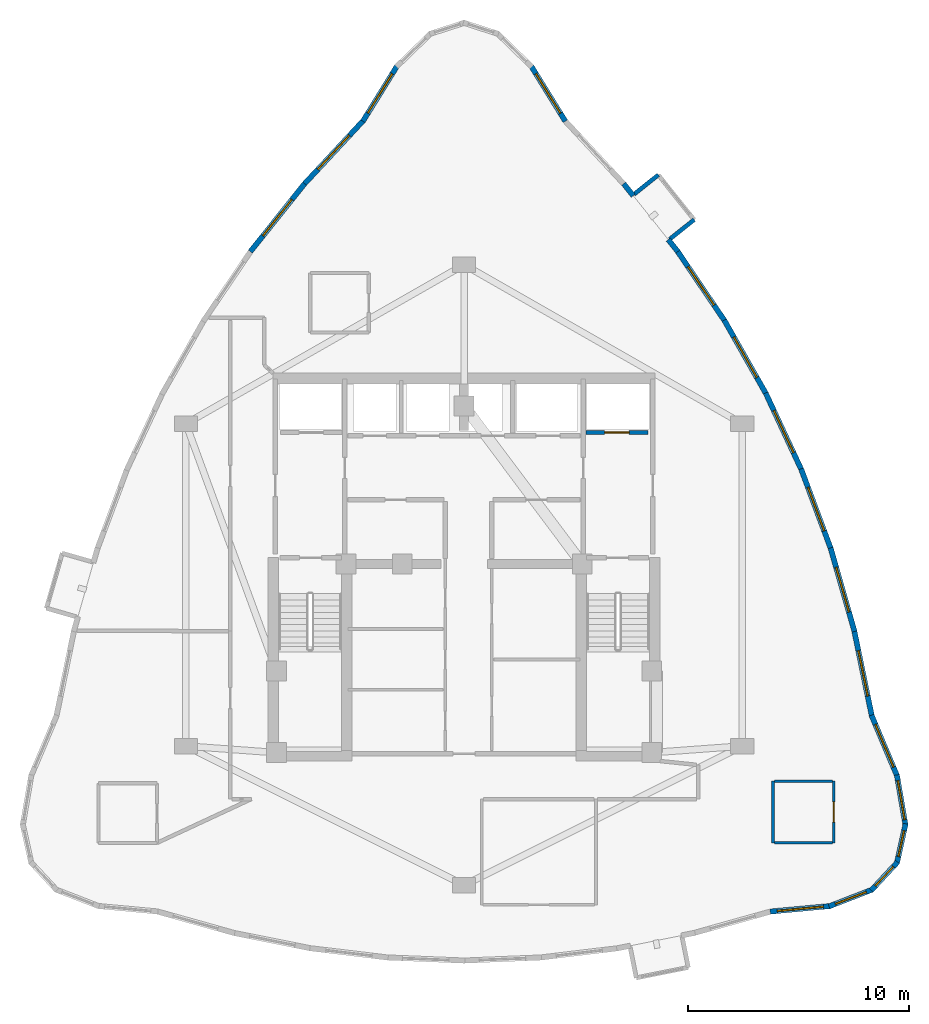
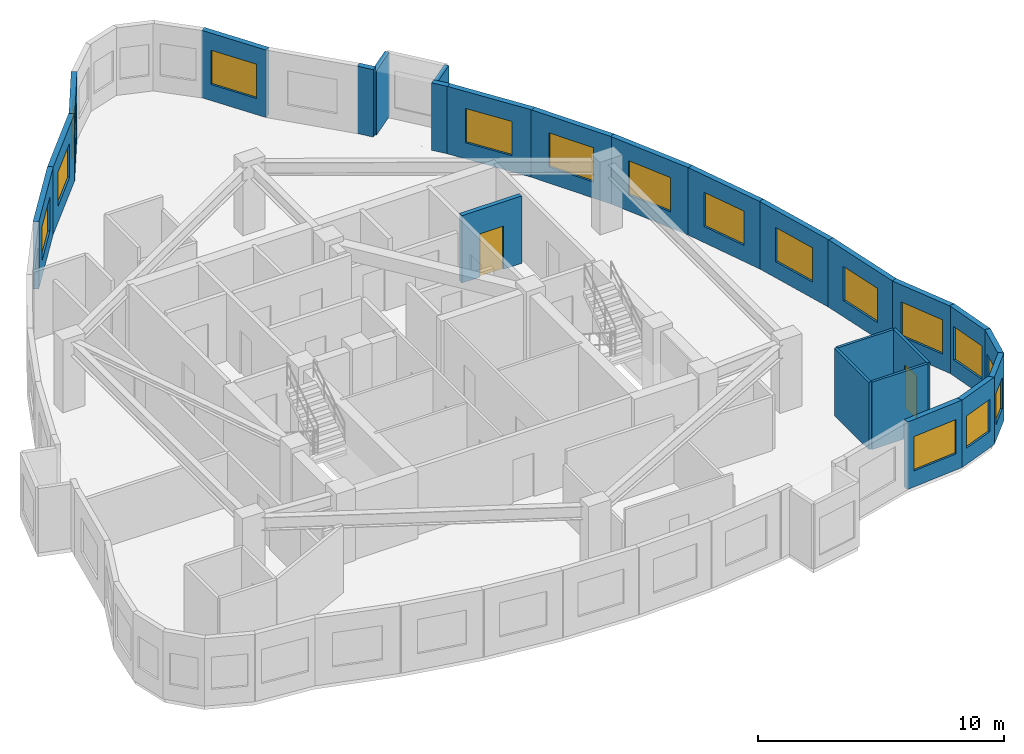
# One storey, part 8 of 10: 25 walls, 16 windows, 2 doors, 18 openings.
"""IFC4 building model written with IfcOpenShell, lengths in metres."""

from ifc_helpers import new_model, si_unit, direction, frame, frame_2d, origin, place, context, subcontext, project, spatial, rectangle, extrude, material, layer, layer_set, type_object, element, fill, save


model = new_model("IFC4")

# Units and contexts
model_context = context("Model", 3, precision=1e-05, world=origin(), true_north=direction((0.0, 1.0)))
body_context = subcontext(model_context, "Body", "Model", "MODEL_VIEW")
ifc_project = project(units=[si_unit("LENGTHUNIT", "METRE"), si_unit("AREAUNIT", "SQUARE_METRE"), si_unit("VOLUMEUNIT", "CUBIC_METRE"), si_unit("PLANEANGLEUNIT", "RADIAN"), si_unit("MASSUNIT", "GRAM", prefix="KILO")], contexts=[model_context])

# Site, building, storey
site_placement = place(None, origin())
site = spatial("IfcSite", under=ifc_project, at=site_placement, CompositionType="ELEMENT")
building_placement = place(site_placement, origin())
building = spatial("IfcBuilding", under=site, at=building_placement, Name="Miruveldt Soraemaru", CompositionType="ELEMENT")
storey_placement = place(building_placement, frame((0.0, 0.0, 226.800048828125)))
storey = spatial("IfcBuildingStorey", under=building, at=storey_placement, Name="L62", CompositionType="ELEMENT", Elevation=226.800048828125)

# Walls
ifc_material_1 = material(Name="White powder-coated aluminium EN AW-6060 T6", Category="aluminium")
ifc_layer_1 = layer(ifc_material_1, 0.18994140625, Name="White powder-coated aluminium EN AW-6060 T6", Category="aluminium")
ifc_layer_set_1 = layer_set([ifc_layer_1], Name="White powder-coated aluminium EN AW-6060 T6")
wall_type_1 = type_object("IfcWallType", Name="WALL-BAY-ALU190", PredefinedType="SOLIDWALL", material=ifc_layer_set_1)
wall_1_placement = place(storey_placement, frame((53.308837890625, 58.752685546875, 0.0), z_axis=(0.0, 0.0, 1.0), x_axis=(0.781737193764, 0.623608017817, 0.0)))
element("IfcWall", 1, at=wall_1_placement, inside=storey, type_object=wall_type_1, Name="L62 Bay Window Side Cheek 3L", PredefinedType="SOLIDWALL", context=body_context, shape_type="SweptSolid", body=[
    extrude(rectangle(XDim=1.425048828125, YDim=0.18994140625, at=frame_2d((0.71240234375, 0.0))), origin(), (0.0, 0.0, 1.0), 3.195068359375),
])
wall_2_placement = place(storey_placement, frame((52.801513671875, 61.673828125, 0.0), z_axis=(0.0, 0.0, 1.0), x_axis=(-0.781820714191, -0.623503304611, 0.0)))
element("IfcWall", 2, at=wall_2_placement, inside=storey, type_object=wall_type_1, Name="L62 Bay Window Side Cheek 3R", PredefinedType="SOLIDWALL", context=body_context, shape_type="SweptSolid", body=[
    extrude(rectangle(XDim=1.4248046875, YDim=0.18994140625, at=frame_2d((0.71240234375, 0.0))), origin(), (0.0, 0.0, 1.0), 3.195068359375),
])

# Wall, opening, window
ifc_material_2 = material(Name="Precast concrete C45/55 (45 MPa)", Category="concrete")
ifc_layer_2 = layer(ifc_material_2, 0.239990234375, Name="Precast concrete C45/55 (45 MPa)", Category="concrete")
ifc_layer_set_2 = layer_set([ifc_layer_2], Name="Precast concrete C45/55 (45 MPa)")
wall_type_2 = type_object("IfcWallType", Name="WALL-EXT-PC240", PredefinedType="SOLIDWALL", material=ifc_layer_set_2)
wall_3_placement = place(storey_placement, frame((48.58642578125, 64.1005859375, 0.0), z_axis=(0.0, 0.0, 1.0), x_axis=(-0.526039851437, 0.850459919514, 0.0)))
wall_3 = element("IfcWall", 3, at=wall_3_placement, inside=storey, type_object=wall_type_2, Name="L62 Precast Concrete Facade Wall 1", PredefinedType="SOLIDWALL", context=body_context, shape_type="SweptSolid", body=[
    extrude(rectangle(XDim=2.96435546875, YDim=0.239990234375, at=frame_2d((1.482177734375, 0.0))), origin(), (0.0, 0.0, 1.0), 3.344970703125),
])
opening_1_placement = place(wall_3_placement, frame((0.431884765625, 0.0, 0.800048828125)))
opening_1 = element("IfcOpeningElement", 4, at=opening_1_placement, cuts=wall_3, Name="Opening WN-1", PredefinedType="OPENING", context=body_context, shape_type="SweptSolid", body=[
    extrude(rectangle(XDim=2.10009765625, YDim=1.699951171875, at=frame_2d((1.050048828125, 0.85009765625))), frame((0.0, 0.1298828125, 0.0), z_axis=(0.0, -1.0, 0.0), x_axis=(1.0, 0.0, 0.0)), (0.0, 0.0, 1.0), 0.260009765625),
])
ifc_material_3 = material(Name="Triple low-e insulated glazing", Category="glass")
window_type_1 = type_object("IfcWindowType", Name="WIN-PUNCH-2100x1700", PartitioningType="SINGLE_PANEL", PredefinedType="WINDOW", material=ifc_material_3)
window_1_placement = place(opening_1_placement, origin())
window_1 = element("IfcWindow", 5, at=window_1_placement, inside=storey, type_object=window_type_1, Name="L62 Punched Triple-Glazed Window 01.1", OverallHeight=1.699951171875, OverallWidth=2.10009765625, PartitioningType="SINGLE_PANEL", PredefinedType="WINDOW", context=body_context, shape_type="SweptSolid", body=[
    extrude(rectangle(XDim=2.10009765625, YDim=1.699951171875, at=frame_2d((1.050048828125, 0.85009765625))), frame((0.0, 0.030029296875, 0.0), z_axis=(0.0, -1.0, 0.0), x_axis=(1.0, 0.0, 0.0)), (0.0, 0.0, 1.0), 0.06005859375),
])
fill(opening_1, window_1)

wall_4_placement = place(storey_placement, frame((40.972900390625, 66.62158203125, 0.0), z_axis=(0.0, 0.0, 1.0), x_axis=(-0.526039851437, -0.850459919514, 0.0)))
wall_4 = element("IfcWall", 6, at=wall_4_placement, inside=storey, type_object=wall_type_2, Name="L62 Precast Concrete Facade Wall 6", PredefinedType="SOLIDWALL", context=body_context, shape_type="SweptSolid", body=[
    extrude(rectangle(XDim=2.96435546875, YDim=0.239990234375, at=frame_2d((1.482177734375, 0.0))), origin(), (0.0, 0.0, 1.0), 3.344970703125),
])
opening_2_placement = place(wall_4_placement, frame((0.431884765625, 0.0, 0.800048828125)))
opening_2 = element("IfcOpeningElement", 7, at=opening_2_placement, cuts=wall_4, Name="Opening WN-1", PredefinedType="OPENING", context=body_context, shape_type="SweptSolid", body=[
    extrude(rectangle(XDim=2.10009765625, YDim=1.699951171875, at=frame_2d((1.050048828125, 0.85009765625))), frame((0.0, 0.1298828125, 0.0), z_axis=(0.0, -1.0, 0.0), x_axis=(1.0, 0.0, 0.0)), (0.0, 0.0, 1.0), 0.260009765625),
])
window_2_placement = place(opening_2_placement, origin())
window_2 = element("IfcWindow", 8, at=window_2_placement, inside=storey, type_object=window_type_1, Name="L62 Punched Triple-Glazed Window 06.1", OverallHeight=1.699951171875, OverallWidth=2.10009765625, PartitioningType="SINGLE_PANEL", PredefinedType="WINDOW", context=body_context, shape_type="SweptSolid", body=[
    extrude(rectangle(XDim=2.10009765625, YDim=1.699951171875, at=frame_2d((1.050048828125, 0.85009765625))), frame((0.0, 0.030029296875, 0.0), z_axis=(0.0, -1.0, 0.0), x_axis=(1.0, 0.0, 0.0)), (0.0, 0.0, 1.0), 0.06005859375),
])
fill(opening_2, window_2)

wall_5_placement = place(storey_placement, frame((39.455810546875, 64.156005859375, 0.0), z_axis=(0.0, 0.0, 1.0), x_axis=(-0.680901904473, -0.73237462851, 0.0)))
wall_5 = element("IfcWall", 9, at=wall_5_placement, inside=storey, type_object=wall_type_2, Name="L62 Precast Concrete Facade Wall 7", PredefinedType="SOLIDWALL", context=body_context, shape_type="SweptSolid", body=[
    extrude(rectangle(XDim=4.0078125, YDim=0.239990234375, at=frame_2d((2.00390625, 0.0))), origin(), (0.0, 0.0, 1.0), 3.344970703125),
])
opening_3_placement = place(wall_5_placement, frame((0.9541015625, 0.0, 0.800048828125)))
opening_3 = element("IfcOpeningElement", 10, at=opening_3_placement, cuts=wall_5, Name="Opening WN-1", PredefinedType="OPENING", context=body_context, shape_type="SweptSolid", body=[
    extrude(rectangle(XDim=2.10009765625, YDim=1.699951171875, at=frame_2d((1.050048828125, 0.85009765625))), frame((0.0, 0.1298828125, 0.0), z_axis=(0.0, -1.0, 0.0), x_axis=(1.0, 0.0, 0.0)), (0.0, 0.0, 1.0), 0.260009765625),
])
window_3_placement = place(opening_3_placement, origin())
window_3 = element("IfcWindow", 11, at=window_3_placement, inside=storey, type_object=window_type_1, Name="L62 Punched Triple-Glazed Window 07.1", OverallHeight=1.699951171875, OverallWidth=2.10009765625, PartitioningType="SINGLE_PANEL", PredefinedType="WINDOW", context=body_context, shape_type="SweptSolid", body=[
    extrude(rectangle(XDim=2.10009765625, YDim=1.699951171875, at=frame_2d((1.050048828125, 0.85009765625))), frame((0.0, 0.030029296875, 0.0), z_axis=(0.0, -1.0, 0.0), x_axis=(1.0, 0.0, 0.0)), (0.0, 0.0, 1.0), 0.06005859375),
])
fill(opening_3, window_3)

wall_6_placement = place(storey_placement, frame((36.7724609375, 61.273681640625, 0.0), z_axis=(0.0, 0.0, 1.0), x_axis=(-0.623613091905, -0.781733146032, 0.0)))
wall_6 = element("IfcWall", 12, at=wall_6_placement, inside=storey, type_object=wall_type_2, Name="L62 Precast Concrete Facade Wall 8", PredefinedType="SOLIDWALL", context=body_context, shape_type="SweptSolid", body=[
    extrude(rectangle(XDim=3.937255859375, YDim=0.239990234375, at=frame_2d((1.96875, 0.0))), origin(), (0.0, 0.0, 1.0), 3.344970703125),
])
opening_4_placement = place(wall_6_placement, frame((0.9189453125, 0.0, 0.800048828125)))
opening_4 = element("IfcOpeningElement", 13, at=opening_4_placement, cuts=wall_6, Name="Opening WN-1", PredefinedType="OPENING", context=body_context, shape_type="SweptSolid", body=[
    extrude(rectangle(XDim=2.10009765625, YDim=1.699951171875, at=frame_2d((1.050048828125, 0.85009765625))), frame((0.0, 0.1298828125, 0.0), z_axis=(0.0, -1.0, 0.0), x_axis=(1.0, 0.0, 0.0)), (0.0, 0.0, 1.0), 0.260009765625),
])
window_4_placement = place(opening_4_placement, origin())
window_4 = element("IfcWindow", 14, at=window_4_placement, inside=storey, type_object=window_type_1, Name="L62 Punched Triple-Glazed Window 08.1", OverallHeight=1.699951171875, OverallWidth=2.10009765625, PartitioningType="SINGLE_PANEL", PredefinedType="WINDOW", context=body_context, shape_type="SweptSolid", body=[
    extrude(rectangle(XDim=2.10009765625, YDim=1.699951171875, at=frame_2d((1.050048828125, 0.85009765625))), frame((0.0, 0.030029296875, 0.0), z_axis=(0.0, -1.0, 0.0), x_axis=(1.0, 0.0, 0.0)), (0.0, 0.0, 1.0), 0.06005859375),
])
fill(opening_4, window_4)

wall_7_placement = place(storey_placement, frame((57.865234375, 28.30078125, 0.0), z_axis=(0.0, 0.0, 1.0), x_axis=(0.995757284453, 0.092018641911, 0.0)))
wall_7 = element("IfcWall", 15, at=wall_7_placement, inside=storey, type_object=wall_type_2, Name="L62 Precast Concrete Facade Wall 29", PredefinedType="SOLIDWALL", context=body_context, shape_type="SweptSolid", body=[
    extrude(rectangle(XDim=2.74609375, YDim=0.239990234375, at=frame_2d((1.373046875, 0.0))), origin(), (0.0, 0.0, 1.0), 3.344970703125),
])
opening_5_placement = place(wall_7_placement, frame((0.322998046875, 0.0, 0.800048828125)))
opening_5 = element("IfcOpeningElement", 16, at=opening_5_placement, cuts=wall_7, Name="Opening WN-1", PredefinedType="OPENING", context=body_context, shape_type="SweptSolid", body=[
    extrude(rectangle(XDim=2.10009765625, YDim=1.699951171875, at=frame_2d((1.050048828125, 0.85009765625))), frame((0.0, 0.1298828125, 0.0), z_axis=(0.0, -1.0, 0.0), x_axis=(1.0, 0.0, 0.0)), (0.0, 0.0, 1.0), 0.260009765625),
])
window_5_placement = place(opening_5_placement, origin())
window_5 = element("IfcWindow", 17, at=window_5_placement, inside=storey, type_object=window_type_1, Name="L62 Punched Triple-Glazed Window 29.1", OverallHeight=1.699951171875, OverallWidth=2.10009765625, PartitioningType="SINGLE_PANEL", PredefinedType="WINDOW", context=body_context, shape_type="SweptSolid", body=[
    extrude(rectangle(XDim=2.10009765625, YDim=1.699951171875, at=frame_2d((1.050048828125, 0.85009765625))), frame((0.0, 0.030029296875, 0.0), z_axis=(0.0, -1.0, 0.0), x_axis=(1.0, 0.0, 0.0)), (0.0, 0.0, 1.0), 0.06005859375),
])
fill(opening_5, window_5)

wall_8_placement = place(storey_placement, frame((60.5322265625, 28.53759765625, 0.0), z_axis=(0.0, 0.0, 1.0), x_axis=(0.93230164069, 0.361681698137, 0.0)))
wall_8 = element("IfcWall", 18, at=wall_8_placement, inside=storey, type_object=wall_type_2, Name="L62 Precast Concrete Facade Wall 30", PredefinedType="SOLIDWALL", context=body_context, shape_type="SweptSolid", body=[
    extrude(rectangle(XDim=2.111328125, YDim=0.239990234375, at=frame_2d((1.0556640625, 0.0))), origin(), (0.0, 0.0, 1.0), 3.344970703125),
])
opening_6_placement = place(wall_8_placement, frame((0.305908203125, 0.0, 0.800048828125)))
opening_6 = element("IfcOpeningElement", 19, at=opening_6_placement, cuts=wall_8, Name="Opening WN-3", PredefinedType="OPENING", context=body_context, shape_type="SweptSolid", body=[
    extrude(rectangle(XDim=1.5, YDim=1.60009765625, at=frame_2d((0.75, 0.800048828125))), frame((0.0, 0.1298828125, 0.0), z_axis=(0.0, -1.0, 0.0), x_axis=(1.0, 0.0, 0.0)), (0.0, 0.0, 1.0), 0.260009765625),
])
window_type_2 = type_object("IfcWindowType", Name="WIN-PUNCH-1500x1600", PartitioningType="SINGLE_PANEL", PredefinedType="WINDOW", material=ifc_material_3)
window_6_placement = place(opening_6_placement, origin())
window_6 = element("IfcWindow", 20, at=window_6_placement, inside=storey, type_object=window_type_2, Name="L62 Punched Triple-Glazed Window 30.1", OverallHeight=1.60009765625, OverallWidth=1.5, PartitioningType="SINGLE_PANEL", PredefinedType="WINDOW", context=body_context, shape_type="SweptSolid", body=[
    extrude(rectangle(XDim=1.5, YDim=1.60009765625, at=frame_2d((0.75, 0.800048828125))), frame((0.0, 0.030029296875, 0.0), z_axis=(0.0, -1.0, 0.0), x_axis=(1.0, 0.0, 0.0)), (0.0, 0.0, 1.0), 0.06005859375),
])
fill(opening_6, window_6)

wall_9_placement = place(storey_placement, frame((62.4443359375, 29.262939453125, 0.0), z_axis=(0.0, 0.0, 1.0), x_axis=(0.680161948571, 0.733061882597, 0.0)))
wall_9 = element("IfcWall", 21, at=wall_9_placement, inside=storey, type_object=wall_type_2, Name="L62 Precast Concrete Facade Wall 31", PredefinedType="SOLIDWALL", context=body_context, shape_type="SweptSolid", body=[
    extrude(rectangle(XDim=1.7490234375, YDim=0.239990234375, at=frame_2d((0.87451171875, 0.0))), origin(), (0.0, 0.0, 1.0), 3.344970703125),
])
opening_7_placement = place(wall_9_placement, frame((0.27392578125, 0.0, 0.780029296875)))
opening_7 = element("IfcOpeningElement", 22, at=opening_7_placement, cuts=wall_9, Name="Opening WN-4", PredefinedType="OPENING", context=body_context, shape_type="SweptSolid", body=[
    extrude(rectangle(XDim=1.199951171875, YDim=1.550048828125, at=frame_2d((0.60009765625, 0.77490234375))), frame((0.0, 0.1298828125, 0.0), z_axis=(0.0, -1.0, 0.0), x_axis=(1.0, 0.0, 0.0)), (0.0, 0.0, 1.0), 0.260009765625),
])
window_type_3 = type_object("IfcWindowType", Name="WIN-PUNCH-1200x1550", PartitioningType="SINGLE_PANEL", PredefinedType="WINDOW", material=ifc_material_3)
window_7_placement = place(opening_7_placement, origin())
window_7 = element("IfcWindow", 23, at=window_7_placement, inside=storey, type_object=window_type_3, Name="L62 Punched Triple-Glazed Window 31.1", OverallHeight=1.550048828125, OverallWidth=1.199951171875, PartitioningType="SINGLE_PANEL", PredefinedType="WINDOW", context=body_context, shape_type="SweptSolid", body=[
    extrude(rectangle(XDim=1.199951171875, YDim=1.550048828125, at=frame_2d((0.60009765625, 0.77490234375))), frame((0.0, 0.030029296875, 0.0), z_axis=(0.0, -1.0, 0.0), x_axis=(1.0, 0.0, 0.0)), (0.0, 0.0, 1.0), 0.06005859375),
])
fill(opening_7, window_7)

wall_10_placement = place(storey_placement, frame((63.6025390625, 30.485107421875, 0.0), z_axis=(0.0, 0.0, 1.0), x_axis=(0.215831360357, 0.97643065493, 0.0)))
wall_10 = element("IfcWall", 24, at=wall_10_placement, inside=storey, type_object=wall_type_2, Name="L62 Precast Concrete Facade Wall 32", PredefinedType="SOLIDWALL", context=body_context, shape_type="SweptSolid", body=[
    extrude(rectangle(XDim=1.834716796875, YDim=0.239990234375, at=frame_2d((0.91748046875, 0.0))), origin(), (0.0, 0.0, 1.0), 3.344970703125),
])
opening_8_placement = place(wall_10_placement, frame((0.318115234375, 0.0, 0.780029296875)))
opening_8 = element("IfcOpeningElement", 25, at=opening_8_placement, cuts=wall_10, Name="Opening WN-4", PredefinedType="OPENING", context=body_context, shape_type="SweptSolid", body=[
    extrude(rectangle(XDim=1.199951171875, YDim=1.550048828125, at=frame_2d((0.60009765625, 0.77490234375))), frame((0.0, 0.1298828125, 0.0), z_axis=(0.0, -1.0, 0.0), x_axis=(1.0, 0.0, 0.0)), (0.0, 0.0, 1.0), 0.260009765625),
])
window_8_placement = place(opening_8_placement, origin())
window_8 = element("IfcWindow", 26, at=window_8_placement, inside=storey, type_object=window_type_3, Name="L62 Punched Triple-Glazed Window 32.1", OverallHeight=1.550048828125, OverallWidth=1.199951171875, PartitioningType="SINGLE_PANEL", PredefinedType="WINDOW", context=body_context, shape_type="SweptSolid", body=[
    extrude(rectangle(XDim=1.199951171875, YDim=1.550048828125, at=frame_2d((0.60009765625, 0.77490234375))), frame((0.0, 0.030029296875, 0.0), z_axis=(0.0, -1.0, 0.0), x_axis=(1.0, 0.0, 0.0)), (0.0, 0.0, 1.0), 0.06005859375),
])
fill(opening_8, window_8)

wall_11_placement = place(storey_placement, frame((63.996826171875, 32.2080078125, 0.0), z_axis=(0.0, 0.0, 1.0), x_axis=(-0.169367237658, 0.985553011668, 0.0)))
wall_11 = element("IfcWall", 27, at=wall_11_placement, inside=storey, type_object=wall_type_2, Name="L62 Precast Concrete Facade Wall 33", PredefinedType="SOLIDWALL", context=body_context, shape_type="SweptSolid", body=[
    extrude(rectangle(XDim=2.31787109375, YDim=0.239990234375, at=frame_2d((1.158935546875, 0.0))), origin(), (0.0, 0.0, 1.0), 3.344970703125),
])
opening_9_placement = place(wall_11_placement, frame((0.259033203125, 0.0, 0.800048828125)))
opening_9 = element("IfcOpeningElement", 28, at=opening_9_placement, cuts=wall_11, Name="Opening WN-2", PredefinedType="OPENING", context=body_context, shape_type="SweptSolid", body=[
    extrude(rectangle(XDim=1.800048828125, YDim=1.64990234375, at=frame_2d((0.89990234375, 0.824951171875))), frame((0.0, 0.1298828125, 0.0), z_axis=(0.0, -1.0, 0.0), x_axis=(1.0, 0.0, 0.0)), (0.0, 0.0, 1.0), 0.260009765625),
])
window_type_4 = type_object("IfcWindowType", Name="WIN-PUNCH-1800x1650", PartitioningType="SINGLE_PANEL", PredefinedType="WINDOW", material=ifc_material_3)
window_9_placement = place(opening_9_placement, origin())
window_9 = element("IfcWindow", 29, at=window_9_placement, inside=storey, type_object=window_type_4, Name="L62 Punched Triple-Glazed Window 33.1", OverallHeight=1.64990234375, OverallWidth=1.800048828125, PartitioningType="SINGLE_PANEL", PredefinedType="WINDOW", context=body_context, shape_type="SweptSolid", body=[
    extrude(rectangle(XDim=1.800048828125, YDim=1.64990234375, at=frame_2d((0.89990234375, 0.824951171875))), frame((0.0, 0.030029296875, 0.0), z_axis=(0.0, -1.0, 0.0), x_axis=(1.0, 0.0, 0.0)), (0.0, 0.0, 1.0), 0.06005859375),
])
fill(opening_9, window_9)

wall_12_placement = place(storey_placement, frame((63.623779296875, 34.42578125, 0.0), z_axis=(0.0, 0.0, 1.0), x_axis=(-0.388633766868, 0.921392313431, 0.0)))
wall_12 = element("IfcWall", 30, at=wall_12_placement, inside=storey, type_object=wall_type_2, Name="L62 Precast Concrete Facade Wall 34", PredefinedType="SOLIDWALL", context=body_context, shape_type="SweptSolid", body=[
    extrude(rectangle(XDim=3.008544921875, YDim=0.239990234375, at=frame_2d((1.50439453125, 0.0))), origin(), (0.0, 0.0, 1.0), 3.344970703125),
])
opening_10_placement = place(wall_12_placement, frame((0.455078125, 0.0, 0.800048828125)))
opening_10 = element("IfcOpeningElement", 31, at=opening_10_placement, cuts=wall_12, Name="Opening WN-1", PredefinedType="OPENING", context=body_context, shape_type="SweptSolid", body=[
    extrude(rectangle(XDim=2.10009765625, YDim=1.699951171875, at=frame_2d((1.050048828125, 0.85009765625))), frame((0.0, 0.1298828125, 0.0), z_axis=(0.0, -1.0, 0.0), x_axis=(1.0, 0.0, 0.0)), (0.0, 0.0, 1.0), 0.260009765625),
])
window_10_placement = place(opening_10_placement, origin())
window_10 = element("IfcWindow", 32, at=window_10_placement, inside=storey, type_object=window_type_1, Name="L62 Punched Triple-Glazed Window 34.1", OverallHeight=1.699951171875, OverallWidth=2.10009765625, PartitioningType="SINGLE_PANEL", PredefinedType="WINDOW", context=body_context, shape_type="SweptSolid", body=[
    extrude(rectangle(XDim=2.10009765625, YDim=1.699951171875, at=frame_2d((1.050048828125, 0.85009765625))), frame((0.0, 0.030029296875, 0.0), z_axis=(0.0, -1.0, 0.0), x_axis=(1.0, 0.0, 0.0)), (0.0, 0.0, 1.0), 0.06005859375),
])
fill(opening_10, window_10)

wall_13_placement = place(storey_placement, frame((62.475341796875, 37.13134765625, 0.0), z_axis=(0.0, 0.0, 1.0), x_axis=(-0.201630576479, 0.979461643266, 0.0)))
wall_13 = element("IfcWall", 33, at=wall_13_placement, inside=storey, type_object=wall_type_2, Name="L62 Precast Concrete Facade Wall 35", PredefinedType="SOLIDWALL", context=body_context, shape_type="SweptSolid", body=[
    extrude(rectangle(XDim=4.0078125, YDim=0.239990234375, at=frame_2d((2.00390625, 0.0))), origin(), (0.0, 0.0, 1.0), 3.344970703125),
])
opening_11_placement = place(wall_13_placement, frame((0.9541015625, 0.0, 0.800048828125)))
opening_11 = element("IfcOpeningElement", 34, at=opening_11_placement, cuts=wall_13, Name="Opening WN-1", PredefinedType="OPENING", context=body_context, shape_type="SweptSolid", body=[
    extrude(rectangle(XDim=2.10009765625, YDim=1.699951171875, at=frame_2d((1.050048828125, 0.85009765625))), frame((0.0, 0.1298828125, 0.0), z_axis=(0.0, -1.0, 0.0), x_axis=(1.0, 0.0, 0.0)), (0.0, 0.0, 1.0), 0.260009765625),
])
window_11_placement = place(opening_11_placement, origin())
window_11 = element("IfcWindow", 35, at=window_11_placement, inside=storey, type_object=window_type_1, Name="L62 Punched Triple-Glazed Window 35.1", OverallHeight=1.699951171875, OverallWidth=2.10009765625, PartitioningType="SINGLE_PANEL", PredefinedType="WINDOW", context=body_context, shape_type="SweptSolid", body=[
    extrude(rectangle(XDim=2.10009765625, YDim=1.699951171875, at=frame_2d((1.050048828125, 0.85009765625))), frame((0.0, 0.030029296875, 0.0), z_axis=(0.0, -1.0, 0.0), x_axis=(1.0, 0.0, 0.0)), (0.0, 0.0, 1.0), 0.06005859375),
])
fill(opening_11, window_11)

wall_14_placement = place(storey_placement, frame((61.68408203125, 40.989013671875, 0.0), z_axis=(0.0, 0.0, 1.0), x_axis=(-0.27500775882, 0.961442006878, 0.0)))
wall_14 = element("IfcWall", 36, at=wall_14_placement, inside=storey, type_object=wall_type_2, Name="L62 Precast Concrete Facade Wall 36", PredefinedType="SOLIDWALL", context=body_context, shape_type="SweptSolid", body=[
    extrude(rectangle(XDim=3.937255859375, YDim=0.239990234375, at=frame_2d((1.96875, 0.0))), origin(), (0.0, 0.0, 1.0), 3.344970703125),
])
opening_12_placement = place(wall_14_placement, frame((0.9189453125, 0.0, 0.800048828125)))
opening_12 = element("IfcOpeningElement", 37, at=opening_12_placement, cuts=wall_14, Name="Opening WN-1", PredefinedType="OPENING", context=body_context, shape_type="SweptSolid", body=[
    extrude(rectangle(XDim=2.10009765625, YDim=1.699951171875, at=frame_2d((1.050048828125, 0.85009765625))), frame((0.0, 0.1298828125, 0.0), z_axis=(0.0, -1.0, 0.0), x_axis=(1.0, 0.0, 0.0)), (0.0, 0.0, 1.0), 0.260009765625),
])
window_12_placement = place(opening_12_placement, origin())
window_12 = element("IfcWindow", 38, at=window_12_placement, inside=storey, type_object=window_type_1, Name="L62 Punched Triple-Glazed Window 36.1", OverallHeight=1.699951171875, OverallWidth=2.10009765625, PartitioningType="SINGLE_PANEL", PredefinedType="WINDOW", context=body_context, shape_type="SweptSolid", body=[
    extrude(rectangle(XDim=2.10009765625, YDim=1.699951171875, at=frame_2d((1.050048828125, 0.85009765625))), frame((0.0, 0.030029296875, 0.0), z_axis=(0.0, -1.0, 0.0), x_axis=(1.0, 0.0, 0.0)), (0.0, 0.0, 1.0), 0.06005859375),
])
fill(opening_12, window_12)

wall_15_placement = place(storey_placement, frame((60.623291015625, 44.7080078125, 0.0), z_axis=(0.0, 0.0, 1.0), x_axis=(-0.349010667613, 0.937118751222, 0.0)))
wall_15 = element("IfcWall", 39, at=wall_15_placement, inside=storey, type_object=wall_type_2, Name="L62 Precast Concrete Facade Wall 37", PredefinedType="SOLIDWALL", context=body_context, shape_type="SweptSolid", body=[
    extrude(rectangle(XDim=3.889404296875, YDim=0.239990234375, at=frame_2d((1.94482421875, 0.0))), origin(), (0.0, 0.0, 1.0), 3.344970703125),
])
opening_13_placement = place(wall_15_placement, frame((0.89501953125, 0.0, 0.800048828125)))
opening_13 = element("IfcOpeningElement", 40, at=opening_13_placement, cuts=wall_15, Name="Opening WN-1", PredefinedType="OPENING", context=body_context, shape_type="SweptSolid", body=[
    extrude(rectangle(XDim=2.10009765625, YDim=1.699951171875, at=frame_2d((1.050048828125, 0.85009765625))), frame((0.0, 0.1298828125, 0.0), z_axis=(0.0, -1.0, 0.0), x_axis=(1.0, 0.0, 0.0)), (0.0, 0.0, 1.0), 0.260009765625),
])
window_13_placement = place(opening_13_placement, origin())
window_13 = element("IfcWindow", 41, at=window_13_placement, inside=storey, type_object=window_type_1, Name="L62 Punched Triple-Glazed Window 37.1", OverallHeight=1.699951171875, OverallWidth=2.10009765625, PartitioningType="SINGLE_PANEL", PredefinedType="WINDOW", context=body_context, shape_type="SweptSolid", body=[
    extrude(rectangle(XDim=2.10009765625, YDim=1.699951171875, at=frame_2d((1.050048828125, 0.85009765625))), frame((0.0, 0.030029296875, 0.0), z_axis=(0.0, -1.0, 0.0), x_axis=(1.0, 0.0, 0.0)), (0.0, 0.0, 1.0), 0.06005859375),
])
fill(opening_13, window_13)

wall_16_placement = place(storey_placement, frame((59.292724609375, 48.2880859375, 0.0), z_axis=(0.0, 0.0, 1.0), x_axis=(-0.422307921973, 0.90645243617, 0.0)))
wall_16 = element("IfcWall", 42, at=wall_16_placement, inside=storey, type_object=wall_type_2, Name="L62 Precast Concrete Facade Wall 38", PredefinedType="SOLIDWALL", context=body_context, shape_type="SweptSolid", body=[
    extrude(rectangle(XDim=3.865234375, YDim=0.239990234375, at=frame_2d((1.9326171875, 0.0))), origin(), (0.0, 0.0, 1.0), 3.344970703125),
])
opening_14_placement = place(wall_16_placement, frame((0.883056640625, 0.0, 0.800048828125)))
opening_14 = element("IfcOpeningElement", 43, at=opening_14_placement, cuts=wall_16, Name="Opening WN-1", PredefinedType="OPENING", context=body_context, shape_type="SweptSolid", body=[
    extrude(rectangle(XDim=2.10009765625, YDim=1.699951171875, at=frame_2d((1.050048828125, 0.85009765625))), frame((0.0, 0.1298828125, 0.0), z_axis=(0.0, -1.0, 0.0), x_axis=(1.0, 0.0, 0.0)), (0.0, 0.0, 1.0), 0.260009765625),
])
window_14_placement = place(opening_14_placement, origin())
window_14 = element("IfcWindow", 44, at=window_14_placement, inside=storey, type_object=window_type_1, Name="L62 Punched Triple-Glazed Window 38.1", OverallHeight=1.699951171875, OverallWidth=2.10009765625, PartitioningType="SINGLE_PANEL", PredefinedType="WINDOW", context=body_context, shape_type="SweptSolid", body=[
    extrude(rectangle(XDim=2.10009765625, YDim=1.699951171875, at=frame_2d((1.050048828125, 0.85009765625))), frame((0.0, 0.030029296875, 0.0), z_axis=(0.0, -1.0, 0.0), x_axis=(1.0, 0.0, 0.0)), (0.0, 0.0, 1.0), 0.06005859375),
])
fill(opening_14, window_14)

wall_17_placement = place(storey_placement, frame((57.692626953125, 51.7294921875, 0.0), z_axis=(0.0, 0.0, 1.0), x_axis=(-0.493367923575, 0.86982072405, 0.0)))
wall_17 = element("IfcWall", 45, at=wall_17_placement, inside=storey, type_object=wall_type_2, Name="L62 Precast Concrete Facade Wall 39", PredefinedType="SOLIDWALL", context=body_context, shape_type="SweptSolid", body=[
    extrude(rectangle(XDim=3.865234375, YDim=0.239990234375, at=frame_2d((1.9326171875, 0.0))), origin(), (0.0, 0.0, 1.0), 3.344970703125),
])
opening_15_placement = place(wall_17_placement, frame((0.883056640625, 0.0, 0.800048828125)))
opening_15 = element("IfcOpeningElement", 46, at=opening_15_placement, cuts=wall_17, Name="Opening WN-1", PredefinedType="OPENING", context=body_context, shape_type="SweptSolid", body=[
    extrude(rectangle(XDim=2.10009765625, YDim=1.699951171875, at=frame_2d((1.050048828125, 0.85009765625))), frame((0.0, 0.1298828125, 0.0), z_axis=(0.0, -1.0, 0.0), x_axis=(1.0, 0.0, 0.0)), (0.0, 0.0, 1.0), 0.260009765625),
])
window_15_placement = place(opening_15_placement, origin())
window_15 = element("IfcWindow", 47, at=window_15_placement, inside=storey, type_object=window_type_1, Name="L62 Punched Triple-Glazed Window 39.1", OverallHeight=1.699951171875, OverallWidth=2.10009765625, PartitioningType="SINGLE_PANEL", PredefinedType="WINDOW", context=body_context, shape_type="SweptSolid", body=[
    extrude(rectangle(XDim=2.10009765625, YDim=1.699951171875, at=frame_2d((1.050048828125, 0.85009765625))), frame((0.0, 0.030029296875, 0.0), z_axis=(0.0, -1.0, 0.0), x_axis=(1.0, 0.0, 0.0)), (0.0, 0.0, 1.0), 0.06005859375),
])
fill(opening_15, window_15)

wall_18_placement = place(storey_placement, frame((55.822509765625, 55.031982421875, 0.0), z_axis=(0.0, 0.0, 1.0), x_axis=(-0.56079817789, 0.827952537091, 0.0)))
wall_18 = element("IfcWall", 48, at=wall_18_placement, inside=storey, type_object=wall_type_2, Name="L62 Precast Concrete Facade Wall 40", PredefinedType="SOLIDWALL", context=body_context, shape_type="SweptSolid", body=[
    extrude(rectangle(XDim=3.889404296875, YDim=0.239990234375, at=frame_2d((1.94482421875, 0.0))), origin(), (0.0, 0.0, 1.0), 3.344970703125),
])
opening_16_placement = place(wall_18_placement, frame((0.89501953125, 0.0, 0.800048828125)))
opening_16 = element("IfcOpeningElement", 49, at=opening_16_placement, cuts=wall_18, Name="Opening WN-1", PredefinedType="OPENING", context=body_context, shape_type="SweptSolid", body=[
    extrude(rectangle(XDim=2.10009765625, YDim=1.699951171875, at=frame_2d((1.050048828125, 0.85009765625))), frame((0.0, 0.1298828125, 0.0), z_axis=(0.0, -1.0, 0.0), x_axis=(1.0, 0.0, 0.0)), (0.0, 0.0, 1.0), 0.260009765625),
])
window_16_placement = place(opening_16_placement, origin())
window_16 = element("IfcWindow", 50, at=window_16_placement, inside=storey, type_object=window_type_1, Name="L62 Punched Triple-Glazed Window 40.1", OverallHeight=1.699951171875, OverallWidth=2.10009765625, PartitioningType="SINGLE_PANEL", PredefinedType="WINDOW", context=body_context, shape_type="SweptSolid", body=[
    extrude(rectangle(XDim=2.10009765625, YDim=1.699951171875, at=frame_2d((1.050048828125, 0.85009765625))), frame((0.0, 0.030029296875, 0.0), z_axis=(0.0, -1.0, 0.0), x_axis=(1.0, 0.0, 0.0)), (0.0, 0.0, 1.0), 0.06005859375),
])
fill(opening_16, window_16)

# Walls
for number, where, z_axis, x_axis, name in (
    (51, (53.682861328125, 58.19580078125, 0.0), (0.0, 0.0, 1.0), (-0.623500916928, 0.781822618367, 0.0), "L62 Precast Pier Wall 41A"),
    (52, (51.6630859375, 60.7275390625, 0.0), (0.0, 0.0, 1.0), (-0.623500916928, 0.781822618367, 0.0), "L62 Precast Pier Wall 41B"),
):
    element("IfcWall", number, at=place(storey_placement, frame(where, z_axis=z_axis, x_axis=x_axis)), inside=storey, type_object=wall_type_2, Name=name, PredefinedType="SOLIDWALL", context=body_context, shape_type="SweptSolid", body=[
        extrude(rectangle(XDim=0.698486328125, YDim=0.239990234375, at=frame_2d((0.34912109375, 0.0))), origin(), (0.0, 0.0, 1.0), 3.344970703125),
    ])

# Wall, opening, door
ifc_material_4 = material(Name="Gypsum plasterboard lining", Category="gypsum")
ifc_layer_3 = layer(ifc_material_4, 0.1201171875, Name="Gypsum plasterboard lining", Category="gypsum")
ifc_layer_set_3 = layer_set([ifc_layer_3], Name="Gypsum plasterboard lining")
wall_type_3 = type_object("IfcWallType", Name="WALL-INT-P120", PredefinedType="PARTITIONING", material=ifc_layer_set_3)
wall_19_placement = place(storey_placement, frame((60.739013671875, 31.412109375, 0.0), z_axis=(0.0, 0.0, 1.0), x_axis=(0.0, 1.0, 0.0)))
wall_19 = element("IfcWall", 53, at=wall_19_placement, inside=storey, type_object=wall_type_3, Name="L62 Partition Wall 17", PredefinedType="PARTITIONING", context=body_context, shape_type="SweptSolid", body=[
    extrude(rectangle(XDim=2.7998046875, YDim=0.1201171875, at=frame_2d((1.39990234375, 0.0))), origin(), (0.0, 0.0, 1.0), 3.344970703125),
])
opening_17_placement = place(wall_19_placement, frame((0.93994140625, 0.0, 0.0)))
opening_17 = element("IfcOpeningElement", 54, at=opening_17_placement, cuts=wall_19, Name="Opening D3A", PredefinedType="OPENING", context=body_context, shape_type="SweptSolid", body=[
    extrude(rectangle(XDim=0.919921875, YDim=2.10009765625, at=frame_2d((0.4599609375, 1.050048828125))), frame((0.0, 0.070068359375, 0.0), z_axis=(0.0, -1.0, 0.0), x_axis=(1.0, 0.0, 0.0)), (0.0, 0.0, 1.0), 0.14013671875),
])
ifc_material_5 = material(Name="Anodised aluminium EN AW-6063 T6", Category="aluminium")
door_type_1 = type_object("IfcDoorType", Name="DOOR-INT-920", OperationType="NOTDEFINED", PredefinedType="DOOR", material=ifc_material_5)
door_1_placement = place(opening_17_placement, origin())
door_1 = element("IfcDoor", 55, at=door_1_placement, inside=storey, type_object=door_type_1, Name="L62 Unit CL02 KIT Door", OperationType="SINGLE_SWING_LEFT", OverallHeight=2.10009765625, OverallWidth=0.919921875, PredefinedType="DOOR", context=body_context, shape_type="SweptSolid", body=[
    extrude(rectangle(XDim=0.919921875, YDim=2.10009765625, at=frame_2d((0.4599609375, 1.050048828125))), frame((0.0, 0.02490234375, 0.0), z_axis=(0.0, -1.0, 0.0), x_axis=(1.0, 0.0, 0.0)), (0.0, 0.0, 1.0), 0.050048828125),
])
fill(opening_17, door_1)

# Walls
wall_20_placement = place(storey_placement, frame((57.989013671875, 34.2119140625, 0.0), z_axis=(0.0, 0.0, 1.0), x_axis=(0.0, -1.0, 0.0)))
element("IfcWall", 56, at=wall_20_placement, inside=storey, type_object=wall_type_3, Name="L62 Partition Wall 19", PredefinedType="PARTITIONING", context=body_context, shape_type="SweptSolid", body=[
    extrude(rectangle(XDim=2.7998046875, YDim=0.1201171875, at=frame_2d((1.39990234375, 0.0))), origin(), (0.0, 0.0, 1.0), 3.344970703125),
])
for number, where, z_axis, x_axis, name in (
    (57, (60.678955078125, 34.2119140625, 0.0), (0.0, 0.0, 1.0), (-1.0, 0.0, 0.0), "L62 Partition Wall 18"),
    (58, (58.049072265625, 31.412109375, 0.0), (0.0, 0.0, 1.0), (1.0, 0.0, 0.0), "L62 Partition Wall 20"),
):
    element("IfcWall", number, at=place(storey_placement, frame(where, z_axis=z_axis, x_axis=x_axis)), inside=storey, type_object=wall_type_3, Name=name, PredefinedType="PARTITIONING", context=body_context, shape_type="SweptSolid", body=[
        extrude(rectangle(XDim=2.6298828125, YDim=0.1201171875, at=frame_2d((1.31494140625, 0.0))), origin(), (0.0, 0.0, 1.0), 3.344970703125),
    ])

# Wall, opening, door
ifc_material_6 = material(Name="Concrete C40/50 (40 MPa)", Category="concrete")
ifc_layer_4 = layer(ifc_material_6, 0.199951171875, Name="Concrete C40/50 (40 MPa)", Category="concrete")
ifc_layer_set_4 = layer_set([ifc_layer_4], Name="Concrete C40/50 (40 MPa)")
wall_type_4 = type_object("IfcWallType", Name="WALL-INT-RC200", PredefinedType="SOLIDWALL", material=ifc_layer_set_4)
wall_21_placement = place(storey_placement, frame((49.52001953125, 50.0, 0.0), z_axis=(0.0, 0.0, 1.0), x_axis=(1.0, 0.0, 0.0)))
wall_21 = element("IfcWall", 59, at=wall_21_placement, inside=storey, type_object=wall_type_4, Name="L62 Core Compartment Wall FFL2-S", PredefinedType="SOLIDWALL", context=body_context, shape_type="SweptSolid", body=[
    extrude(rectangle(XDim=2.800048828125, YDim=0.199951171875, at=frame_2d((1.39990234375, 0.0))), origin(), (0.0, 0.0, 1.0), 3.344970703125),
])
opening_18_placement = place(wall_21_placement, frame((0.85009765625, 0.0, 0.0)))
opening_18 = element("IfcOpeningElement", 60, at=opening_18_placement, cuts=wall_21, Name="Opening LD2", PredefinedType="OPENING", context=body_context, shape_type="SweptSolid", body=[
    extrude(rectangle(XDim=1.10009765625, YDim=2.14990234375, at=frame_2d((0.550048828125, 1.074951171875))), frame((0.0, 0.10986328125, 0.0), z_axis=(0.0, -1.0, 0.0), x_axis=(1.0, 0.0, 0.0)), (0.0, 0.0, 1.0), 0.219970703125),
])
door_type_2 = type_object("IfcDoorType", Name="DOOR-LD2-1100", OperationType="SLIDING_TO_LEFT", PredefinedType="DOOR", material=ifc_material_5)
door_2_placement = place(opening_18_placement, origin())
door_2 = element("IfcDoor", 61, at=door_2_placement, inside=storey, type_object=door_type_2, Name="L62 FFL-2 Landing Door", OperationType="SLIDING_TO_LEFT", OverallHeight=2.14990234375, OverallWidth=1.10009765625, PredefinedType="DOOR", context=body_context, shape_type="SweptSolid", body=[
    extrude(rectangle(XDim=1.10009765625, YDim=2.14990234375, at=frame_2d((0.550048828125, 1.074951171875))), frame((0.0, 0.02490234375, 0.0), z_axis=(0.0, -1.0, 0.0), x_axis=(1.0, 0.0, 0.0)), (0.0, 0.0, 1.0), 0.050048828125),
])
fill(opening_18, door_2)

save(model, "model.ifc")
